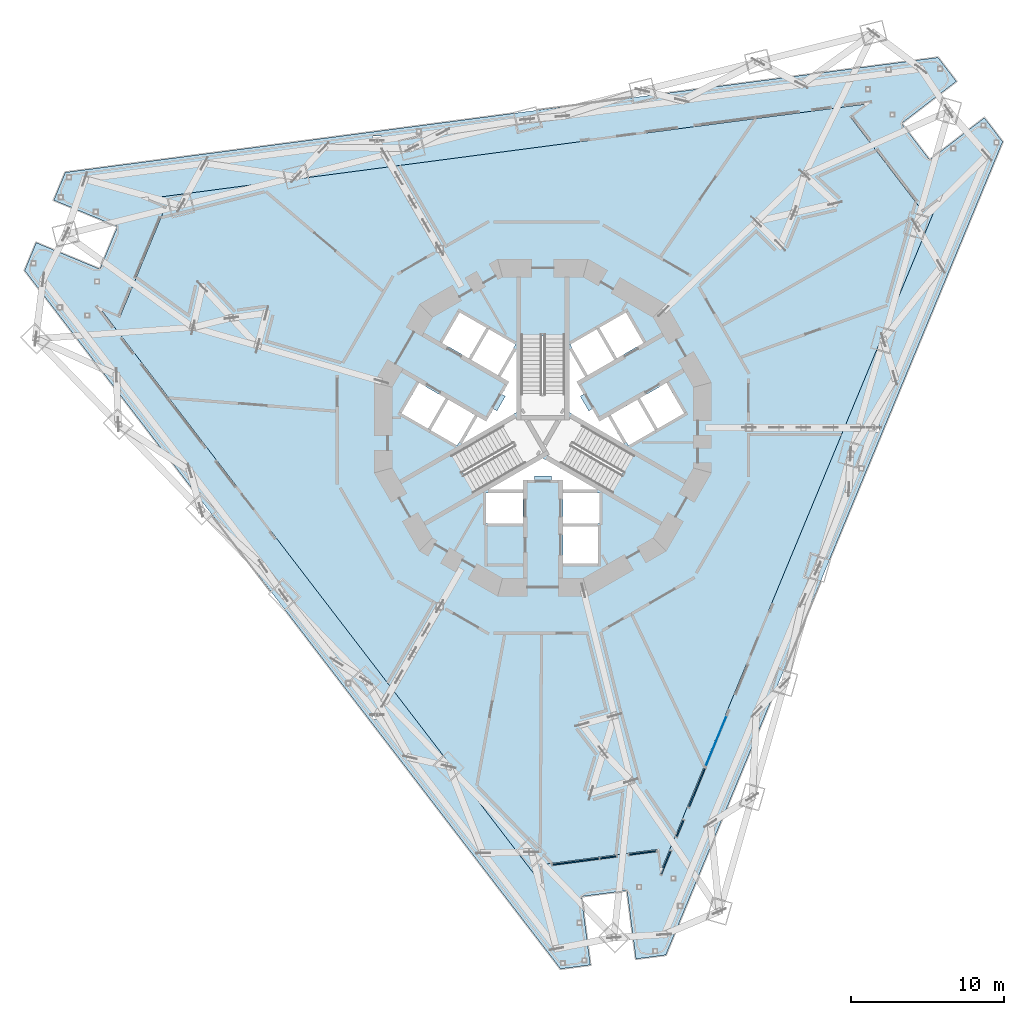
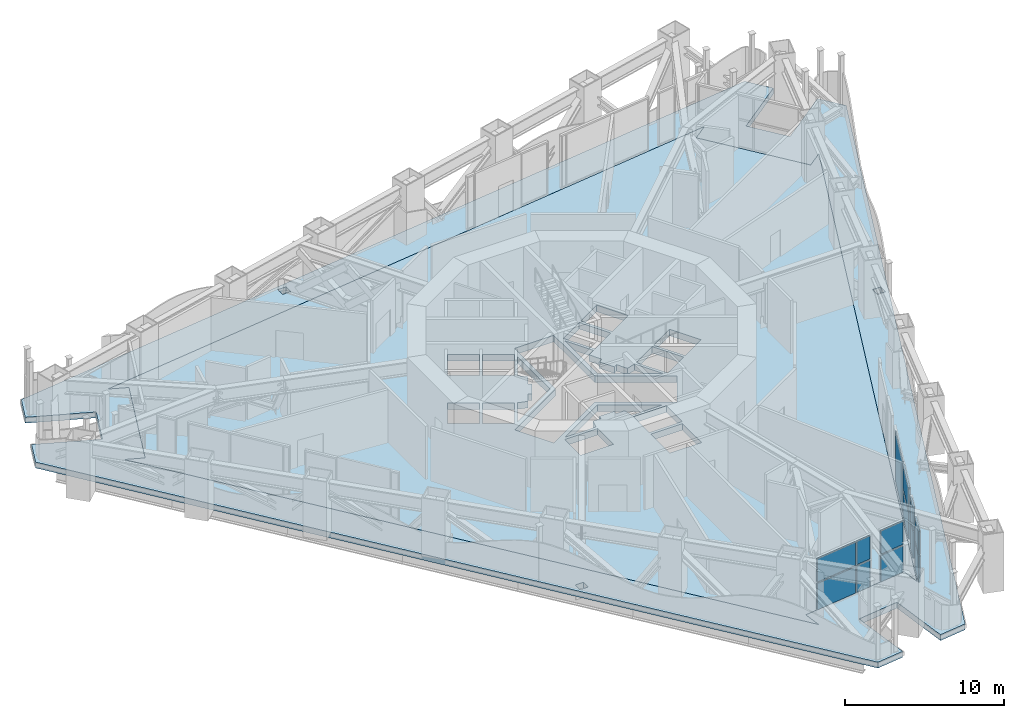
# One storey, part 13 of 31: 13 plates, 2 slabs, 6 elements without a shape of their own.
"""IFC4 building model written with IfcOpenShell, lengths in metres."""

from ifc_helpers import new_model, si_unit, direction, frame, origin, origin_2d, place, context, subcontext, project, spatial, polyline, rectangle, outline, extrude, material, layer, layer_set, type_object, element, aggregate, save


model = new_model("IFC4")

# Units and contexts
model_context = context("Model", 3, precision=1e-05, world=origin(), true_north=direction((0.0, 1.0)))
body_context = subcontext(model_context, "Body", "Model", "MODEL_VIEW")
ifc_project = project(units=[si_unit("LENGTHUNIT", "METRE"), si_unit("AREAUNIT", "SQUARE_METRE"), si_unit("VOLUMEUNIT", "CUBIC_METRE"), si_unit("PLANEANGLEUNIT", "RADIAN"), si_unit("MASSUNIT", "GRAM", prefix="KILO")], contexts=[model_context])

# Site, building, storey
site_placement = place(None, origin())
site = spatial("IfcSite", under=ifc_project, at=site_placement, CompositionType="ELEMENT")
building_placement = place(site_placement, origin())
building = spatial("IfcBuilding", under=site, at=building_placement, Name="Trine Commons Tower", CompositionType="ELEMENT")
storey_placement = place(building_placement, frame((0.0, 0.0, 82.800048828125)))
storey = spatial("IfcBuildingStorey", under=building, at=storey_placement, Name="L20", CompositionType="ELEMENT", Elevation=82.800048828125)

# Curtain wall, plate
ifc_material_1 = material(Name="Sky lounge glazing: anodised aluminium frame with low-emissivity double glazed unit, solar control", Category="aluminium")
ifc_layer_1 = layer(ifc_material_1, 0.179931640625)
ifc_layer_set_1 = layer_set([ifc_layer_1], Name="Sky lounge glazing: anodised aluminium frame with low-emissivity double glazed unit, solar control")
curtain_wall_type_1 = type_object("IfcCurtainWallType", Name="Sky lounge glazing curtain wall CW5", PredefinedType="NOTDEFINED", material=ifc_layer_set_1)
curtain_wall_1_placement = place(storey_placement, origin())
curtain_wall_1 = element("IfcCurtainWall", 1, at=curtain_wall_1_placement, inside=storey, type_object=curtain_wall_type_1, Name="Sky lounge glazing L20 F2.3", PredefinedType="NOTDEFINED")
ifc_material_2 = material(Name="Low-emissivity double glazed unit, solar control")
ifc_layer_2 = layer(ifc_material_2, 0.031982421875)
ifc_layer_set_2 = layer_set([ifc_layer_2], Name="Low-emissivity double glazed unit, solar control")
plate_type_1 = type_object("IfcPlateType", Name="Double glazed unit 32 mm (sky floors)", PredefinedType="CURTAIN_PANEL", material=ifc_layer_set_2)
plate_1_placement = place(storey_placement, frame((91.305908203125, 42.0615234375, 0.10986328125), z_axis=(0.0, 0.0, 1.0), x_axis=(-0.382683432365, -0.923879532511, 0.0)))
plate_1 = element("IfcPlate", 2, at=plate_1_placement, type_object=plate_type_1, Name="CW5 panel 2.1", PredefinedType="CURTAIN_PANEL", context=body_context, shape_type="SweptSolid", body=[
    extrude(rectangle(XDim=3.531005859375, YDim=0.031982421875, at=origin_2d()), origin(), (0.0, 0.0, 1.0), 3.929931640625),
])
aggregate(curtain_wall_1, [plate_1])

# Curtain wall, plates
ifc_material_3 = material(Name="Plant louvre wall: anodised aluminium frame with anodised aluminium louvre blades", Category="aluminium")
ifc_layer_3 = layer(ifc_material_3, 0.199951171875)
ifc_layer_set_3 = layer_set([ifc_layer_3], Name="Plant louvre wall: anodised aluminium frame with anodised aluminium louvre blades")
curtain_wall_type_2 = type_object("IfcCurtainWallType", Name="Plant louvre wall curtain wall CW7", PredefinedType="NOTDEFINED", material=ifc_layer_set_3)
curtain_wall_2_placement = place(storey_placement, origin())
curtain_wall_2 = element("IfcCurtainWall", 3, at=curtain_wall_2_placement, inside=storey, type_object=curtain_wall_type_2, Name="Plant louvre wall L20 F2.4", PredefinedType="NOTDEFINED")
ifc_material_4 = material(Name="Anodised aluminium louvre blades", Category="aluminium")
ifc_layer_4 = layer(ifc_material_4, 0.10009765625)
ifc_layer_set_4 = layer_set([ifc_layer_4], Name="Anodised aluminium louvre blades")
plate_type_2 = type_object("IfcPlateType", Name="Fixed aluminium louvre panel 100", PredefinedType="CURTAIN_PANEL", material=ifc_layer_set_4)
plate_2_placement = place(storey_placement, frame((90.056396484375, 39.01904296875, 0.119873046875), z_axis=(0.0, 0.0, 1.0), x_axis=(-0.382683432365, -0.923879532511, 0.0)))
plate_2 = element("IfcPlate", 4, at=plate_2_placement, type_object=plate_type_2, Name="CW7 panel 1.1", PredefinedType="CURTAIN_PANEL", context=body_context, shape_type="SweptSolid", body=[
    extrude(rectangle(XDim=2.697265625, YDim=0.10009765625, at=origin_2d()), origin(), (0.0, 0.0, 1.0), 2.02001953125),
])
plate_3_placement = place(storey_placement, frame((90.056396484375, 39.01904296875, 2.260009765625), z_axis=(0.0, 0.0, 1.0), x_axis=(-0.382683432365, -0.923879532511, 0.0)))
plate_3 = element("IfcPlate", 5, at=plate_3_placement, type_object=plate_type_2, Name="CW7 panel 1.2", PredefinedType="CURTAIN_PANEL", context=body_context, shape_type="SweptSolid", body=[
    extrude(rectangle(XDim=2.697265625, YDim=0.10009765625, at=origin_2d()), origin(), (0.0, 0.0, 1.0), 1.77001953125),
])
aggregate(curtain_wall_2, [plate_2, plate_3])

curtain_wall_3_placement = place(storey_placement, origin())
curtain_wall_3 = element("IfcCurtainWall", 6, at=curtain_wall_3_placement, inside=storey, type_object=curtain_wall_type_2, Name="Plant louvre wall L20 F2.5", PredefinedType="NOTDEFINED")
plate_4_placement = place(storey_placement, frame((88.951904296875, 36.352294921875, 0.119873046875), z_axis=(0.0, 0.0, 1.0), x_axis=(-0.382683432365, -0.923879532511, 0.0)))
plate_4 = element("IfcPlate", 7, at=plate_4_placement, type_object=plate_type_2, Name="CW7 panel 1.1", PredefinedType="CURTAIN_PANEL", context=body_context, shape_type="SweptSolid", body=[
    extrude(rectangle(XDim=1.140625, YDim=0.10009765625, at=origin_2d()), origin(), (0.0, 0.0, 1.0), 2.02001953125),
])
plate_5_placement = place(storey_placement, frame((88.951904296875, 36.352294921875, 2.260009765625), z_axis=(0.0, 0.0, 1.0), x_axis=(-0.382683432365, -0.923879532511, 0.0)))
plate_5 = element("IfcPlate", 8, at=plate_5_placement, type_object=plate_type_2, Name="CW7 panel 1.2", PredefinedType="CURTAIN_PANEL", context=body_context, shape_type="SweptSolid", body=[
    extrude(rectangle(XDim=1.140625, YDim=0.10009765625, at=origin_2d()), origin(), (0.0, 0.0, 1.0), 1.77001953125),
])
aggregate(curtain_wall_3, [plate_4, plate_5])

curtain_wall_4_placement = place(storey_placement, origin())
curtain_wall_4 = element("IfcCurtainWall", 9, at=curtain_wall_4_placement, inside=storey, type_object=curtain_wall_type_2, Name="Plant louvre wall L20 F2.6", PredefinedType="NOTDEFINED")
plate_6_placement = place(storey_placement, frame((88.0283203125, 34.122314453125, 0.119873046875), z_axis=(0.0, 0.0, 1.0), x_axis=(-0.382683432365, -0.923879532511, 0.0)))
plate_6 = element("IfcPlate", 10, at=plate_6_placement, type_object=plate_type_2, Name="CW7 panel 1.1", PredefinedType="CURTAIN_PANEL", context=body_context, shape_type="SweptSolid", body=[
    extrude(rectangle(XDim=1.621826171875, YDim=0.10009765625, at=origin_2d()), origin(), (0.0, 0.0, 1.0), 2.02001953125),
])
plate_7_placement = place(storey_placement, frame((88.0283203125, 34.122314453125, 2.260009765625), z_axis=(0.0, 0.0, 1.0), x_axis=(-0.382683432365, -0.923879532511, 0.0)))
plate_7 = element("IfcPlate", 11, at=plate_7_placement, type_object=plate_type_2, Name="CW7 panel 1.2", PredefinedType="CURTAIN_PANEL", context=body_context, shape_type="SweptSolid", body=[
    extrude(rectangle(XDim=1.621826171875, YDim=0.10009765625, at=origin_2d()), origin(), (0.0, 0.0, 1.0), 1.77001953125),
])
aggregate(curtain_wall_4, [plate_6, plate_7])

curtain_wall_5_placement = place(storey_placement, origin())
curtain_wall_5 = element("IfcCurtainWall", 12, at=curtain_wall_5_placement, inside=storey, type_object=curtain_wall_type_2, Name="Plant louvre wall L20 P3.1", PredefinedType="NOTDEFINED")
plate_8_placement = place(storey_placement, frame((86.508544921875, 34.7587890625, 0.119873046875), z_axis=(0.0, 0.0, 1.0), x_axis=(-0.991444861374, -0.13052619222, 0.0)))
plate_8 = element("IfcPlate", 13, at=plate_8_placement, type_object=plate_type_2, Name="CW7 panel 1.1", PredefinedType="CURTAIN_PANEL", context=body_context, shape_type="SweptSolid", body=[
    extrude(rectangle(XDim=1.736328125, YDim=0.10009765625, at=origin_2d()), origin(), (0.0, 0.0, 1.0), 2.02001953125),
])
plate_9_placement = place(storey_placement, frame((86.508544921875, 34.7587890625, 2.260009765625), z_axis=(0.0, 0.0, 1.0), x_axis=(-0.991444861374, -0.13052619222, 0.0)))
plate_9 = element("IfcPlate", 14, at=plate_9_placement, type_object=plate_type_2, Name="CW7 panel 1.2", PredefinedType="CURTAIN_PANEL", context=body_context, shape_type="SweptSolid", body=[
    extrude(rectangle(XDim=1.736328125, YDim=0.10009765625, at=origin_2d()), origin(), (0.0, 0.0, 1.0), 1.77001953125),
])
aggregate(curtain_wall_5, [plate_8, plate_9])

curtain_wall_6_placement = place(storey_placement, origin())
curtain_wall_6 = element("IfcCurtainWall", 15, at=curtain_wall_6_placement, inside=storey, type_object=curtain_wall_type_2, Name="Plant louvre wall L20 P3.2", PredefinedType="NOTDEFINED")
plate_10_placement = place(storey_placement, frame((84.268798828125, 34.4638671875, 0.119873046875), z_axis=(0.0, 0.0, 1.0), x_axis=(-0.991444861374, -0.13052619222, 0.0)))
plate_10 = element("IfcPlate", 16, at=plate_10_placement, type_object=plate_type_2, Name="CW7 panel 1.1", PredefinedType="CURTAIN_PANEL", context=body_context, shape_type="SweptSolid", body=[
    extrude(rectangle(XDim=1.045654296875, YDim=0.10009765625, at=origin_2d()), origin(), (0.0, 0.0, 1.0), 2.02001953125),
])
plate_11_placement = place(storey_placement, frame((84.268798828125, 34.4638671875, 2.260009765625), z_axis=(0.0, 0.0, 1.0), x_axis=(-0.991444861374, -0.13052619222, 0.0)))
plate_11 = element("IfcPlate", 17, at=plate_11_placement, type_object=plate_type_2, Name="CW7 panel 1.2", PredefinedType="CURTAIN_PANEL", context=body_context, shape_type="SweptSolid", body=[
    extrude(rectangle(XDim=1.045654296875, YDim=0.10009765625, at=origin_2d()), origin(), (0.0, 0.0, 1.0), 1.77001953125),
])
plate_12_placement = place(storey_placement, frame((82.151123046875, 34.18505859375, 0.119873046875), z_axis=(0.0, 0.0, 1.0), x_axis=(-0.991444861374, -0.13052619222, 0.0)))
plate_12 = element("IfcPlate", 18, at=plate_12_placement, type_object=plate_type_2, Name="CW7 panel 2.1", PredefinedType="CURTAIN_PANEL", context=body_context, shape_type="SweptSolid", body=[
    extrude(rectangle(XDim=3.026123046875, YDim=0.10009765625, at=origin_2d()), origin(), (0.0, 0.0, 1.0), 2.02001953125),
])
plate_13_placement = place(storey_placement, frame((82.151123046875, 34.18505859375, 2.260009765625), z_axis=(0.0, 0.0, 1.0), x_axis=(-0.991444861374, -0.13052619222, 0.0)))
plate_13 = element("IfcPlate", 19, at=plate_13_placement, type_object=plate_type_2, Name="CW7 panel 2.2", PredefinedType="CURTAIN_PANEL", context=body_context, shape_type="SweptSolid", body=[
    extrude(rectangle(XDim=3.026123046875, YDim=0.10009765625, at=origin_2d()), origin(), (0.0, 0.0, 1.0), 1.77001953125),
])
aggregate(curtain_wall_6, [plate_10, plate_11, plate_12, plate_13])

# Slabs
ifc_material_5 = material(Name="Concrete C50/60", Category="concrete")
ifc_layer_5 = layer(ifc_material_5, 0.449951171875)
ifc_layer_set_5 = layer_set([ifc_layer_5], Name="Concrete C50/60")
slab_type_1 = type_object("IfcSlabType", Name="Loggia slab 450 mm, C50/60", PredefinedType="FLOOR", material=ifc_layer_set_5)
slab_1_placement = place(storey_placement, frame((0.0, 0.0, -0.449951171875)))
element("IfcSlab", 20, at=slab_1_placement, inside=storey, type_object=slab_type_1, Name="Loggia slab L20", PredefinedType="FLOOR", context=body_context, shape_type="SweptSolid", body=[
    extrude(outline(polyline([(86.07568359375, 27.843017578125), (88.02294921875, 28.099365234375), (109.998046875, 81.15185546875), (108.80224609375, 82.710205078125), (105.232177734375, 79.970703125), (103.406005859375, 82.3505859375), (106.97607421875, 85.090087890625), (105.780517578125, 86.6484375), (48.847900390625, 79.153076171875), (48.096435546875, 77.33837890625), (52.25390625, 75.616455078125), (51.105712890625, 72.8447265625), (46.948486328125, 74.56689453125), (46.19677734375, 72.752197265625), (81.154052734375, 27.195068359375), (83.101318359375, 27.451416015625), (82.513916015625, 31.912841796875), (85.48828125, 32.304443359375), (86.07568359375, 27.843017578125)]), holes=[polyline([(79.8212890625, 33.97900390625), (87.554443359375, 34.997314453125), (87.72998046875, 33.663818359375), (105.856201171875, 77.42431640625), (104.789306640625, 76.605712890625), (100.041015625, 82.793701171875), (101.10791015625, 83.612548828125), (54.14697265625, 77.429931640625), (55.3896484375, 76.915283203125), (52.40478515625, 69.708984375), (51.162109375, 70.2236328125), (79.99658203125, 32.6455078125), (79.8212890625, 33.97900390625)]), polyline([(69.48876953125, 44.07421875), (68.888671875, 44.07421875), (68.888671875, 43.47412109375), (69.48876953125, 43.47412109375), (69.48876953125, 44.07421875)]), polyline([(101.922607421875, 62.199951171875), (101.922607421875, 62.800048828125), (101.32275390625, 62.800048828125), (101.32275390625, 62.199951171875), (101.922607421875, 62.199951171875)]), polyline([(69.488525390625, 80.92578125), (69.488525390625, 81.52587890625), (68.888671875, 81.52587890625), (68.888671875, 80.92578125), (69.488525390625, 80.92578125)])]), origin(), (0.0, 0.0, 1.0), 0.449951171875),
])
ifc_layer_6 = layer(ifc_material_5, 0.5)
ifc_layer_set_6 = layer_set([ifc_layer_6], Name="Concrete C50/60")
slab_type_2 = type_object("IfcSlabType", Name="Transfer floor slab 500 mm, C50/60", PredefinedType="FLOOR", material=ifc_layer_set_6)
slab_2_placement = place(storey_placement, frame((0.0, 0.0, -0.5)))
element("IfcSlab", 21, at=slab_2_placement, inside=storey, type_object=slab_type_2, Name="Floor slab L20", PredefinedType="FLOOR", context=body_context, shape_type="SweptSolid", body=[
    extrude(outline(polyline([(51.162109375, 70.2236328125), (79.99658203125, 32.6455078125), (79.8212890625, 33.97900390625), (87.554443359375, 34.997314453125), (87.72998046875, 33.663818359375), (105.856201171875, 77.42431640625), (104.789306640625, 76.605712890625), (100.041015625, 82.793701171875), (101.10791015625, 83.612548828125), (54.14697265625, 77.429931640625), (55.3896484375, 76.915283203125), (52.40478515625, 69.708984375), (51.162109375, 70.2236328125)]), holes=[polyline([(76.300048828125, 56.25), (78.699951171875, 56.25), (78.699951171875, 58.25), (76.300048828125, 58.25), (76.300048828125, 56.25)]), polyline([(81.14990234375, 59.10009765625), (81.300048828125, 58.449951171875), (83.56494140625, 58.449951171875), (80.0, 60.508056640625), (76.43505859375, 58.449951171875), (78.699951171875, 58.449951171875), (78.85009765625, 59.10009765625), (79.449951171875, 59.10009765625), (79.449951171875, 59.360107421875), (80.550048828125, 59.360107421875), (80.550048828125, 59.10009765625), (81.14990234375, 59.10009765625)]), polyline([(80.0, 60.8544921875), (84.4755859375, 58.2705078125), (85.900390625, 60.73876953125), (81.425048828125, 63.32275390625), (81.425048828125, 68.490478515625), (78.574951171875, 68.490478515625), (78.574951171875, 63.32275390625), (74.099609375, 60.73876953125), (75.5244140625, 58.2705078125), (80.0, 60.8544921875)]), polyline([(73.83740234375, 64.325927734375), (72.687255859375, 62.333984375), (74.41943359375, 61.333984375), (75.5693359375, 63.325927734375), (73.83740234375, 64.325927734375)]), polyline([(71.93212890625, 65.426025390625), (70.781982421875, 63.43408203125), (72.51416015625, 62.43408203125), (73.6640625, 64.426025390625), (71.93212890625, 65.426025390625)]), polyline([(76.781005859375, 63.722900390625), (76.381103515625, 63.031005859375), (75.742919921875, 63.22607421875), (74.7099609375, 61.43798828125), (78.27490234375, 63.49609375), (78.27490234375, 67.612060546875), (77.242919921875, 65.823974609375), (77.73095703125, 65.368896484375), (77.3310546875, 64.676025390625), (77.555908203125, 64.5458984375), (77.006103515625, 63.593994140625), (76.781005859375, 63.722900390625)]), polyline([(76.4873046875, 68.916015625), (75.33740234375, 66.924072265625), (77.0693359375, 65.924072265625), (78.219482421875, 67.916015625), (76.4873046875, 68.916015625)]), polyline([(74.58203125, 70.015869140625), (73.43212890625, 68.02392578125), (75.1640625, 67.02392578125), (76.314208984375, 69.015869140625), (74.58203125, 70.015869140625)]), polyline([(81.300048828125, 53.64990234375), (83.60009765625, 53.64990234375), (83.60009765625, 56.050048828125), (81.300048828125, 56.050048828125), (81.300048828125, 53.64990234375)]), polyline([(81.300048828125, 56.25), (83.699951171875, 56.25), (83.699951171875, 58.25), (81.300048828125, 58.25), (81.300048828125, 56.25)]), polyline([(87.312744140625, 62.333984375), (86.16259765625, 64.325927734375), (84.4306640625, 63.325927734375), (85.58056640625, 61.333984375), (87.312744140625, 62.333984375)]), polyline([(89.218017578125, 63.43408203125), (88.06787109375, 65.426025390625), (86.3359375, 64.426025390625), (87.48583984375, 62.43408203125), (89.218017578125, 63.43408203125)]), polyline([(83.243896484375, 63.738037109375), (82.993896484375, 63.593994140625), (82.444091796875, 64.5458984375), (82.72705078125, 64.7099609375), (82.281005859375, 65.549072265625), (82.757080078125, 65.823974609375), (81.72509765625, 67.612060546875), (81.72509765625, 63.49609375), (85.2900390625, 61.43798828125), (84.257080078125, 63.22607421875), (83.618896484375, 63.031005859375), (83.243896484375, 63.738037109375)]), polyline([(82.9306640625, 65.924072265625), (84.66259765625, 66.924072265625), (83.5126953125, 68.916015625), (81.780517578125, 67.916015625), (82.9306640625, 65.924072265625)]), polyline([(84.8359375, 67.02392578125), (86.56787109375, 68.02392578125), (85.41796875, 70.015869140625), (83.685791015625, 69.015869140625), (84.8359375, 67.02392578125)])]), origin(), (0.0, 0.0, 1.0), 0.5),
])

save(model, "model.ifc")
